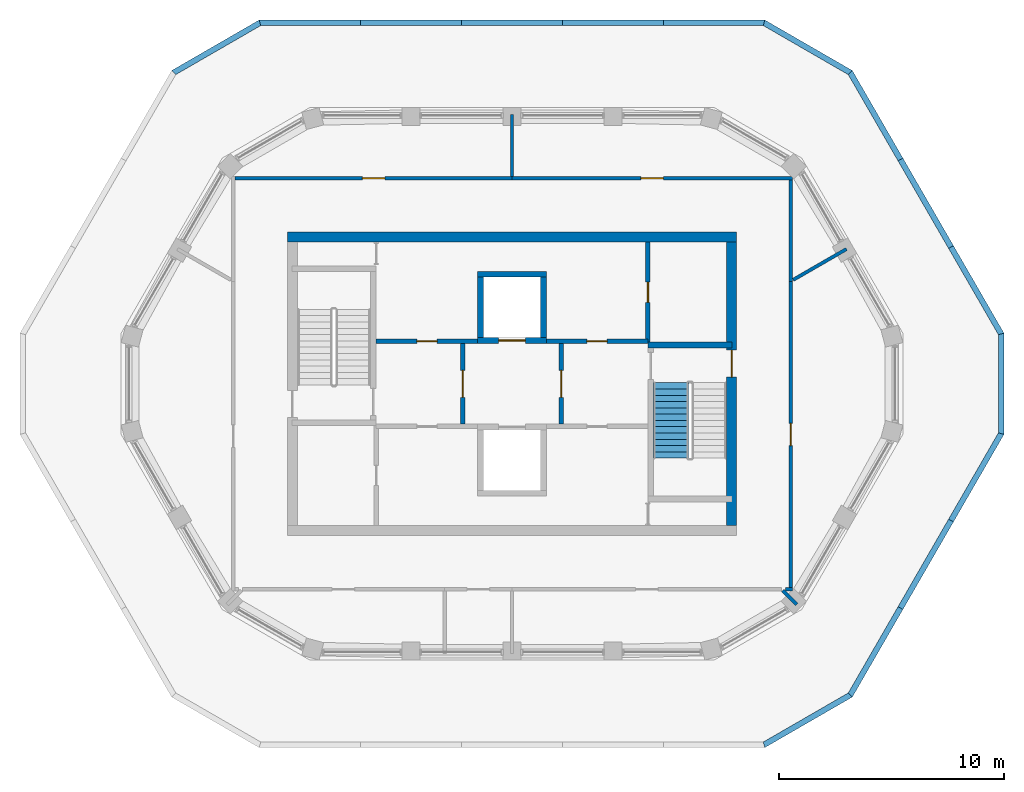
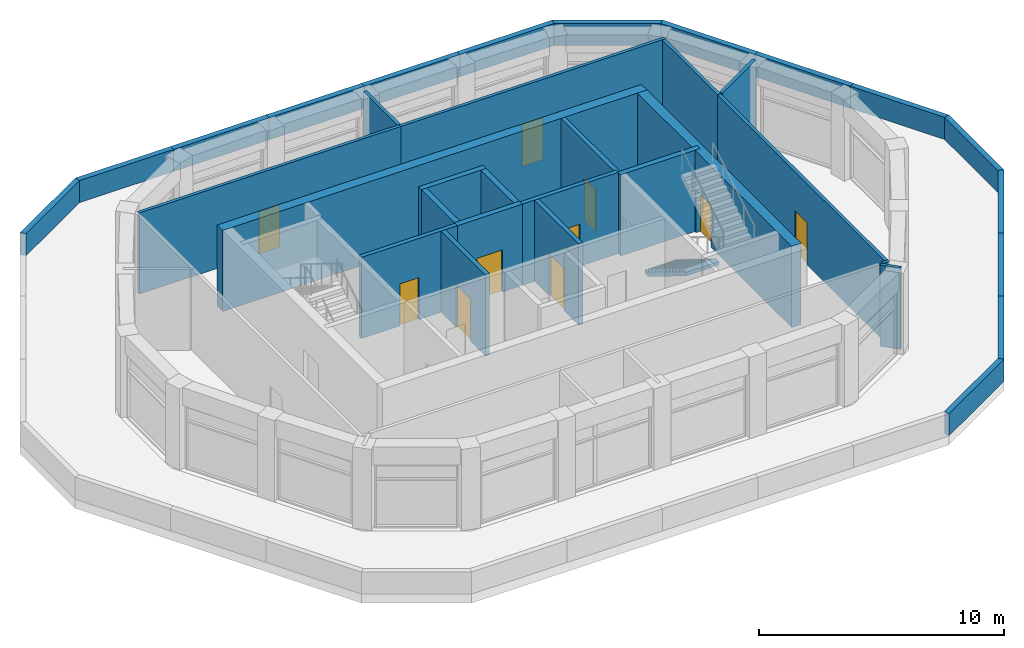
# One storey, part 6 of 8: 35 walls, 10 doors, 1 stair flight, 10 openings, 1 element without a shape of its own.
"""IFC4 building model written with IfcOpenShell, lengths in metres."""

import ifcopenshell
import ifcopenshell.guid

model = None  # the IFC model being written
_history = None  # IfcOwnerHistory: only IFC2X3 demands one
_inside = {}  # id of a spatial element -> (the spatial element, [elements in it])
_under = {}  # id of a project, library or spatial element -> (it, [spatial elements below it])
_declared = {}  # id of a project -> (the project, [libraries it declares])
_typed = {}  # id of a type object -> (the type object, [elements of that type])
_made_of = {}  # id of a material, layer set ... -> (it, [elements and type objects made of it])


def new_model(schema):
    """Start an empty IFC model of exactly this schema.

    Asked for "IFC4X3", IfcOpenShell would pick the latest addendum, in which some entities
    have other attributes; the version numbers below select the first issue.
    IFC2X3 requires an IfcOwnerHistory on every rooted entity: one is made here for all.
    """
    global model, _history
    if schema == "IFC4X3":
        model = ifcopenshell.file(schema_version=(4, 3, 0, 0))
    else:
        model = ifcopenshell.file(schema=schema)
    _inside.clear()
    _under.clear()
    _declared.clear()
    _typed.clear()
    _made_of.clear()
    _history = None
    if model.schema == "IFC2X3":
        org = make("IfcOrganization", Name="unknown")
        user = make(
            "IfcPersonAndOrganization",
            ThePerson=make("IfcPerson", FamilyName="unknown"),
            TheOrganization=org,
        )
        app = make(
            "IfcApplication",
            ApplicationDeveloper=org,
            Version="unknown",
            ApplicationFullName="unknown",
            ApplicationIdentifier="unknown",
        )
        _history = make(
            "IfcOwnerHistory",
            OwningUser=user,
            OwningApplication=app,
            ChangeAction="ADDED",
            CreationDate=0,
        )
    return model


def make(cls, **values):
    """One entity of the class cls with the attributes given. An attribute that is None is left unset."""
    return model.create_entity(
        cls, **{name: value for name, value in values.items() if value is not None}
    )


def rooted(cls, **values):
    """An entity with a GlobalId (a new one), such as an element, a storey or a relation."""
    return make(cls, GlobalId=ifcopenshell.guid.new(), OwnerHistory=_history, **values)


def si_unit(unit_type, name, prefix=None):
    """IfcSIUnit, for example si_unit("LENGTHUNIT", "METRE", prefix="MILLI")."""
    return make("IfcSIUnit", UnitType=unit_type, Prefix=prefix, Name=name)


def assignment(units):
    """IfcUnitAssignment: the units of a project."""
    return None if units is None else make("IfcUnitAssignment", Units=units)


def point(xyz):
    """IfcCartesianPoint."""
    return None if xyz is None else make("IfcCartesianPoint", Coordinates=xyz)


def direction(xyz):
    """IfcDirection."""
    return None if xyz is None else make("IfcDirection", DirectionRatios=xyz)


def frame(location, z_axis=None, x_axis=None):
    """IfcAxis2Placement3D, a coordinate frame: its origin and axes. An axis left out is left unset."""
    return make(
        "IfcAxis2Placement3D",
        Location=point(location),
        Axis=direction(z_axis),
        RefDirection=direction(x_axis),
    )


def frame_2d(location, x_axis=None):
    """IfcAxis2Placement2D, a coordinate frame in the plane: its origin and x axis."""
    return make(
        "IfcAxis2Placement2D", Location=point(location), RefDirection=direction(x_axis)
    )


def origin():
    """The frame at (0, 0, 0) with its axes left unset."""
    return frame((0.0, 0.0, 0.0))


def place(relative_to, where):
    """IfcLocalPlacement: puts the frame where relative to a parent placement (None: the world)."""
    return make(
        "IfcLocalPlacement", PlacementRelTo=relative_to, RelativePlacement=where
    )


def context(
    kind, dimensions, precision=None, world=None, true_north=None, identifier=None
):
    """IfcGeometricRepresentationContext, for example the 3D "Model" context."""
    return make(
        "IfcGeometricRepresentationContext",
        ContextIdentifier=identifier,
        ContextType=kind,
        CoordinateSpaceDimension=dimensions,
        Precision=precision,
        WorldCoordinateSystem=world,
        TrueNorth=true_north,
    )


def subcontext(parent, identifier, kind, view, scale=None):
    """IfcGeometricRepresentationSubContext, for example "Body" below "Model"."""
    return make(
        "IfcGeometricRepresentationSubContext",
        ContextIdentifier=identifier,
        ContextType=kind,
        ParentContext=parent,
        TargetScale=scale,
        TargetView=view,
    )


def project(units=None, contexts=None):
    """IfcProject with its units and contexts."""
    return rooted(
        "IfcProject",
        Name="project",
        RepresentationContexts=contexts,
        UnitsInContext=assignment(units),
    )


def spatial(cls, under=None, at=None, **own):
    """A site, building, storey or space (cls), placed at a placement, below another one or the project."""
    s = rooted(cls, ObjectPlacement=at, **own)
    if under is not None:
        _under.setdefault(under.id(), (under, []))[1].append(s)
    return s


def polyline(points):
    """IfcPolyline through the points."""
    return make("IfcPolyline", Points=[point(p) for p in points])


def profile(cls, at=None, kind="AREA", **sizes):
    """A parametric profile (cls). Its sizes go by their IFC names, for example OverallWidth=200.0."""
    return make(cls, ProfileType=kind, Position=at, **sizes)


def rectangle(**sizes):
    """IfcRectangleProfileDef."""
    return profile("IfcRectangleProfileDef", **sizes)


def outline(outer, holes=None, kind="AREA"):
    """IfcArbitraryClosedProfileDef: a profile drawn as a closed curve; with holes, ...WithVoids."""
    if holes is None:
        return make("IfcArbitraryClosedProfileDef", ProfileType=kind, OuterCurve=outer)
    return make(
        "IfcArbitraryProfileDefWithVoids",
        ProfileType=kind,
        OuterCurve=outer,
        InnerCurves=holes,
    )


def extrude(swept, where, along, depth):
    """IfcExtrudedAreaSolid: the profile swept, set in the frame where, extruded along a direction by depth."""
    return make(
        "IfcExtrudedAreaSolid",
        SweptArea=swept,
        Position=where,
        ExtrudedDirection=direction(along),
        Depth=depth,
    )


def shape(context_of_items, identifier, shape_type, items):
    """IfcShapeRepresentation: the items that make up one representation, for example the "Body"."""
    return make(
        "IfcShapeRepresentation",
        ContextOfItems=context_of_items,
        RepresentationIdentifier=identifier,
        RepresentationType=shape_type,
        Items=items,
    )


def material(Name=None, Category=None):
    """IfcMaterial."""
    return make("IfcMaterial", Name=Name, Category=Category)


def layer(
    of_material, thickness, ventilated=None, Name=None, Category=None, Priority=None
):
    """IfcMaterialLayer: one layer of a wall or slab, of a material (None: an air gap)."""
    return make(
        "IfcMaterialLayer",
        Material=of_material,
        LayerThickness=thickness,
        IsVentilated=ventilated,
        Name=Name,
        Category=Category,
        Priority=Priority,
    )


def layer_set(layers, Name=None):
    """IfcMaterialLayerSet."""
    return make("IfcMaterialLayerSet", MaterialLayers=layers, LayerSetName=Name)


def made_of(thing, what):
    """Note that an element or type object is made of a material, layer set ...; save() writes the relation."""
    if what is not None:
        _made_of.setdefault(what.id(), (what, []))[1].append(thing)
    return thing


def type_object(cls, material=None, **own):
    """A type object (cls), such as IfcWallType, which elements share."""
    return made_of(rooted(cls, **own), material)


def element(
    cls,
    number,
    at=None,
    inside=None,
    cuts=None,
    type_object=None,
    material=None,
    context=None,
    identifier="Body",
    shape_type=None,
    held_by="IfcProductDefinitionShape",
    body=None,
    shapes=None,
    **own,
):
    """One element of the class cls, such as IfcWall. Its Tag is "e" and its number.

    at: its placement. inside: the storey or other place that contains it. cuts: it is an
    opening in that element (IfcRelVoidsElement). A single representation is given by context,
    identifier, shape_type and body (its items); several are given by shapes. held_by: the class
    of the entity that holds the representations. save() writes the other relations.
    """
    e = rooted(cls, Tag="e%d" % number, ObjectPlacement=at, **own)
    if body is not None:
        shapes = [shape(context, identifier, shape_type, body)]
    if shapes is not None:
        e.Representation = make(held_by, Representations=shapes)
    if inside is not None:
        _inside.setdefault(inside.id(), (inside, []))[1].append(e)
    if cuts is not None:
        rooted(
            "IfcRelVoidsElement", RelatingBuildingElement=cuts, RelatedOpeningElement=e
        )
    if type_object is not None:
        _typed.setdefault(type_object.id(), (type_object, []))[1].append(e)
    return made_of(e, material)


def fill(opening, filler):
    """IfcRelFillsElement: the door or window that sits in an opening."""
    return rooted(
        "IfcRelFillsElement",
        RelatingOpeningElement=opening,
        RelatedBuildingElement=filler,
    )


def aggregate(whole, parts):
    """IfcRelAggregates: a whole, such as a stair, and the parts it consists of."""
    return rooted("IfcRelAggregates", RelatingObject=whole, RelatedObjects=parts)


def save(model, path):
    """Write the relations noted so far, then the file.

    IfcRelAggregates (storeys below a building ...), IfcRelContainedInSpatialStructure (elements
    in a storey), IfcRelDefinesByType, IfcRelAssociatesMaterial and IfcRelDeclares: one each for
    every whole, place, type object, material and project.
    """
    for whole, parts in _under.values():
        aggregate(whole, parts)
    for where, things in _inside.values():
        rooted(
            "IfcRelContainedInSpatialStructure",
            RelatedElements=things,
            RelatingStructure=where,
        )
    for kind, things in _typed.values():
        rooted("IfcRelDefinesByType", RelatedObjects=things, RelatingType=kind)
    for what, things in _made_of.values():
        rooted("IfcRelAssociatesMaterial", RelatedObjects=things, RelatingMaterial=what)
    for by, libraries in _declared.values():
        rooted("IfcRelDeclares", RelatingContext=by, RelatedDefinitions=libraries)
    model.write(path)


model = new_model("IFC4")

# Units and contexts
model_context = context("Model", 3, precision=1e-05, world=origin(), true_north=direction((0.0, 1.0)))
body_context = subcontext(model_context, "Body", "Model", "MODEL_VIEW")
ifc_project = project(units=[si_unit("LENGTHUNIT", "METRE"), si_unit("AREAUNIT", "SQUARE_METRE"), si_unit("VOLUMEUNIT", "CUBIC_METRE"), si_unit("PLANEANGLEUNIT", "RADIAN"), si_unit("MASSUNIT", "GRAM", prefix="KILO")], contexts=[model_context])

# Site, building, storey
site_placement = place(None, origin())
site = spatial("IfcSite", under=ifc_project, at=site_placement, CompositionType="ELEMENT")
building_placement = place(site_placement, origin())
building = spatial("IfcBuilding", under=site, at=building_placement, Name="Dhurran Vertical Campus", CompositionType="ELEMENT")
storey_placement = place(building_placement, frame((0.0, 0.0, 323.39990234375)))
storey = spatial("IfcBuildingStorey", under=building, at=storey_placement, Name="L79 Plant", CompositionType="ELEMENT", Elevation=323.39990234375)

# Walls
ifc_material_1 = material(Name="Precast concrete C50/60", Category="concrete")
ifc_layer_1 = layer(ifc_material_1, 0.25)
ifc_layer_set_1 = layer_set([ifc_layer_1], Name="Precast concrete C50/60")
wall_type_1 = type_object("IfcWallType", Name="Precast parapet 250", PredefinedType="PARAPET", material=ifc_layer_set_1)
wall_1_placement = place(storey_placement, origin())
element("IfcWall", 1, at=wall_1_placement, inside=storey, type_object=wall_type_1, Name="PW1 L79.05", PredefinedType="PARAPET", context=body_context, shape_type="SweptSolid", body=[
    extrude(outline(polyline([(11.25, -16.19140625), (15.147216796875, -13.94140625), (14.964111328125, -13.75830078125), (11.18310546875, -15.94140625), (11.25, -16.19140625)])), origin(), (0.0, 0.0, 1.0), 1.10009765625),
])
wall_2_placement = place(storey_placement, origin())
element("IfcWall", 2, at=wall_2_placement, inside=storey, type_object=wall_type_1, Name="PW1 L79.06", PredefinedType="PARAPET", context=body_context, shape_type="SweptSolid", body=[
    extrude(outline(polyline([(15.147216796875, -13.94140625), (17.397216796875, -10.044189453125), (17.1806640625, -9.919189453125), (14.964111328125, -13.75830078125), (15.147216796875, -13.94140625)])), origin(), (0.0, 0.0, 1.0), 1.10009765625),
])
wall_3_placement = place(storey_placement, origin())
element("IfcWall", 3, at=wall_3_placement, inside=storey, type_object=wall_type_1, Name="PW1 L79.07", PredefinedType="PARAPET", context=body_context, shape_type="SweptSolid", body=[
    extrude(outline(polyline([(17.397216796875, -10.044189453125), (19.647216796875, -6.147216796875), (19.4306640625, -6.022216796875), (17.1806640625, -9.919189453125), (17.397216796875, -10.044189453125)])), origin(), (0.0, 0.0, 1.0), 1.10009765625),
])
wall_4_placement = place(storey_placement, origin())
element("IfcWall", 4, at=wall_4_placement, inside=storey, type_object=wall_type_1, Name="PW1 L79.08", PredefinedType="PARAPET", context=body_context, shape_type="SweptSolid", body=[
    extrude(outline(polyline([(19.647216796875, -6.147216796875), (21.897216796875, -2.25), (21.647216796875, -2.18310546875), (19.4306640625, -6.022216796875), (19.647216796875, -6.147216796875)])), origin(), (0.0, 0.0, 1.0), 1.10009765625),
])
wall_5_placement = place(storey_placement, origin())
element("IfcWall", 5, at=wall_5_placement, inside=storey, type_object=wall_type_1, Name="PW1 L79.09", PredefinedType="PARAPET", context=body_context, shape_type="SweptSolid", body=[
    extrude(outline(polyline([(21.897216796875, -2.25), (21.897216796875, 2.25), (21.647216796875, 2.18310546875), (21.647216796875, -2.18310546875), (21.897216796875, -2.25)])), origin(), (0.0, 0.0, 1.0), 1.10009765625),
])
wall_6_placement = place(storey_placement, origin())
element("IfcWall", 6, at=wall_6_placement, inside=storey, type_object=wall_type_1, Name="PW1 L79.10", PredefinedType="PARAPET", context=body_context, shape_type="SweptSolid", body=[
    extrude(outline(polyline([(21.897216796875, 2.25), (19.647216796875, 6.147216796875), (19.4306640625, 6.022216796875), (21.647216796875, 2.18310546875), (21.897216796875, 2.25)])), origin(), (0.0, 0.0, 1.0), 1.10009765625),
])
wall_7_placement = place(storey_placement, origin())
element("IfcWall", 7, at=wall_7_placement, inside=storey, type_object=wall_type_1, Name="PW1 L79.11", PredefinedType="PARAPET", context=body_context, shape_type="SweptSolid", body=[
    extrude(outline(polyline([(19.647216796875, 6.147216796875), (17.397216796875, 10.044189453125), (17.1806640625, 9.919189453125), (19.4306640625, 6.022216796875), (19.647216796875, 6.147216796875)])), origin(), (0.0, 0.0, 1.0), 1.10009765625),
])
wall_8_placement = place(storey_placement, origin())
element("IfcWall", 8, at=wall_8_placement, inside=storey, type_object=wall_type_1, Name="PW1 L79.12", PredefinedType="PARAPET", context=body_context, shape_type="SweptSolid", body=[
    extrude(outline(polyline([(17.397216796875, 10.044189453125), (15.147216796875, 13.94140625), (14.964111328125, 13.75830078125), (17.1806640625, 9.919189453125), (17.397216796875, 10.044189453125)])), origin(), (0.0, 0.0, 1.0), 1.10009765625),
])
wall_9_placement = place(storey_placement, origin())
element("IfcWall", 9, at=wall_9_placement, inside=storey, type_object=wall_type_1, Name="PW1 L79.13", PredefinedType="PARAPET", context=body_context, shape_type="SweptSolid", body=[
    extrude(outline(polyline([(15.147216796875, 13.94140625), (11.25, 16.19140625), (11.18310546875, 15.94140625), (14.964111328125, 13.75830078125), (15.147216796875, 13.94140625)])), origin(), (0.0, 0.0, 1.0), 1.10009765625),
])
wall_10_placement = place(storey_placement, origin())
element("IfcWall", 10, at=wall_10_placement, inside=storey, type_object=wall_type_1, Name="PW1 L79.14", PredefinedType="PARAPET", context=body_context, shape_type="SweptSolid", body=[
    extrude(outline(polyline([(11.25, 16.19140625), (6.75, 16.19140625), (6.75, 15.94140625), (11.18310546875, 15.94140625), (11.25, 16.19140625)])), origin(), (0.0, 0.0, 1.0), 1.10009765625),
])
wall_11_placement = place(storey_placement, origin())
element("IfcWall", 11, at=wall_11_placement, inside=storey, type_object=wall_type_1, Name="PW1 L79.15", PredefinedType="PARAPET", context=body_context, shape_type="SweptSolid", body=[
    extrude(outline(polyline([(6.75, 16.19140625), (2.25, 16.19140625), (2.25, 15.94140625), (6.75, 15.94140625), (6.75, 16.19140625)])), origin(), (0.0, 0.0, 1.0), 1.10009765625),
])
wall_12_placement = place(storey_placement, origin())
element("IfcWall", 12, at=wall_12_placement, inside=storey, type_object=wall_type_1, Name="PW1 L79.16", PredefinedType="PARAPET", context=body_context, shape_type="SweptSolid", body=[
    extrude(outline(polyline([(2.25, 16.19140625), (-2.25, 16.19140625), (-2.25, 15.94140625), (2.25, 15.94140625), (2.25, 16.19140625)])), origin(), (0.0, 0.0, 1.0), 1.10009765625),
])
wall_13_placement = place(storey_placement, origin())
element("IfcWall", 13, at=wall_13_placement, inside=storey, type_object=wall_type_1, Name="PW1 L79.17", PredefinedType="PARAPET", context=body_context, shape_type="SweptSolid", body=[
    extrude(outline(polyline([(-2.25, 16.19140625), (-6.75, 16.19140625), (-6.75, 15.94140625), (-2.25, 15.94140625), (-2.25, 16.19140625)])), origin(), (0.0, 0.0, 1.0), 1.10009765625),
])
wall_14_placement = place(storey_placement, origin())
element("IfcWall", 14, at=wall_14_placement, inside=storey, type_object=wall_type_1, Name="PW1 L79.18", PredefinedType="PARAPET", context=body_context, shape_type="SweptSolid", body=[
    extrude(outline(polyline([(-6.75, 16.19140625), (-11.25, 16.19140625), (-11.18310546875, 15.94140625), (-6.75, 15.94140625), (-6.75, 16.19140625)])), origin(), (0.0, 0.0, 1.0), 1.10009765625),
])
wall_15_placement = place(storey_placement, origin())
element("IfcWall", 15, at=wall_15_placement, inside=storey, type_object=wall_type_1, Name="PW1 L79.19", PredefinedType="PARAPET", context=body_context, shape_type="SweptSolid", body=[
    extrude(outline(polyline([(-11.25, 16.19140625), (-15.147216796875, 13.94140625), (-14.964111328125, 13.75830078125), (-11.18310546875, 15.94140625), (-11.25, 16.19140625)])), origin(), (0.0, 0.0, 1.0), 1.10009765625),
])
ifc_material_2 = material(Name="Concrete C50/60", Category="concrete")
ifc_layer_2 = layer(ifc_material_2, 0.449951171875)
ifc_layer_set_2 = layer_set([ifc_layer_2], Name="Concrete C50/60")
wall_type_2 = type_object("IfcWallType", Name="co-CORE-WALL-C4-450", PredefinedType="SHEAR", material=ifc_layer_set_2)
wall_16_placement = place(storey_placement, frame((-10.0, 6.52490234375, 0.0), z_axis=(0.0, 0.0, 1.0), x_axis=(1.0, 0.0, 0.0)))
element("IfcWall", 16, at=wall_16_placement, inside=storey, type_object=wall_type_2, Name="Core wall N L79", PredefinedType="SHEAR", context=body_context, shape_type="SweptSolid", body=[
    extrude(rectangle(XDim=20.0, YDim=0.449951171875, at=frame_2d((10.0, 0.0))), origin(), (0.0, 0.0, 1.0), 4.050048828125),
])

# Wall, opening, door
wall_17_placement = place(storey_placement, frame((9.77490234375, -6.300048828125, 0.0), z_axis=(0.0, 0.0, 1.0), x_axis=(0.0, 1.0, 0.0)))
wall_17 = element("IfcWall", 17, at=wall_17_placement, inside=storey, type_object=wall_type_2, Name="Core wall E L79", PredefinedType="SHEAR", context=body_context, shape_type="SweptSolid", body=[
    extrude(rectangle(XDim=12.60009765625, YDim=0.449951171875, at=frame_2d((6.300048828125, 0.0))), origin(), (0.0, 0.0, 1.0), 4.050048828125),
])
opening_1_placement = place(wall_17_placement, frame((6.60009765625, 0.0, 0.0)))
opening_1 = element("IfcOpeningElement", 18, at=opening_1_placement, cuts=wall_17, Name="Opening XD6", PredefinedType="OPENING", context=body_context, shape_type="SweptSolid", body=[
    extrude(rectangle(XDim=1.199951171875, YDim=2.10009765625, at=frame_2d((0.60009765625, 1.050048828125))), frame((0.0, 0.23486328125, 0.0), z_axis=(0.0, -1.0, 0.0), x_axis=(1.0, 0.0, 0.0)), (0.0, 0.0, 1.0), 0.469970703125),
])
ifc_material_3 = material(Name="Fire-rated steel door set", Category="steel")
door_type_1 = type_object("IfcDoorType", Name="co-D-STAIR-EXIT 1200x2100", OperationType="SINGLE_SWING_RIGHT", PredefinedType="DOOR", material=ifc_material_3)
door_1_placement = place(opening_1_placement, origin())
door_1 = element("IfcDoor", 19, at=door_1_placement, inside=storey, type_object=door_type_1, Name="Stair ST6 exit door L79", OperationType="SINGLE_SWING_RIGHT", OverallHeight=2.10009765625, OverallWidth=1.199951171875, PredefinedType="DOOR", context=body_context, shape_type="SweptSolid", body=[
    extrude(rectangle(XDim=1.199951171875, YDim=2.10009765625, at=frame_2d((0.60009765625, 1.050048828125))), frame((0.0, 0.02490234375, 0.0), z_axis=(0.0, -1.0, 0.0), x_axis=(1.0, 0.0, 0.0)), (0.0, 0.0, 1.0), 0.050048828125),
])
fill(opening_1, door_1)

ifc_material_4 = material(Name="Fire-rated masonry blockwork", Category="masonry")
ifc_layer_3 = layer(ifc_material_4, 0.199951171875)
ifc_layer_set_3 = layer_set([ifc_layer_3], Name="Fire-rated masonry blockwork")
wall_type_3 = type_object("IfcWallType", Name="co-FIRE-PARTITION-200", PredefinedType="PARTITIONING", material=ifc_layer_set_3)
wall_18_placement = place(storey_placement, frame((-2.199951171875, -1.800048828125, 0.0), z_axis=(0.0, 0.0, 1.0), x_axis=(0.0, 1.0, 0.0)))
wall_18 = element("IfcWall", 20, at=wall_18_placement, inside=storey, type_object=wall_type_3, Name="Firefighting lobby wall W L79", PredefinedType="PARTITIONING", context=body_context, shape_type="SweptSolid", body=[
    extrude(rectangle(XDim=3.60009765625, YDim=0.199951171875, at=frame_2d((1.800048828125, 0.0))), origin(), (0.0, 0.0, 1.0), 4.050048828125),
])
opening_2_placement = place(wall_18_placement, frame((1.199951171875, 0.0, 0.0)))
opening_2 = element("IfcOpeningElement", 21, at=opening_2_placement, cuts=wall_18, Name="Opening FL1", PredefinedType="OPENING", context=body_context, shape_type="SweptSolid", body=[
    extrude(rectangle(XDim=1.199951171875, YDim=2.10009765625, at=frame_2d((0.60009765625, 1.050048828125))), frame((0.0, 0.10986328125, 0.0), z_axis=(0.0, -1.0, 0.0), x_axis=(1.0, 0.0, 0.0)), (0.0, 0.0, 1.0), 0.219970703125),
])
ifc_material_5 = material(Name="Fire-rated steel door set", Category="steel")
door_type_2 = type_object("IfcDoorType", Name="co-D-FFLOBBY 1200x2100", OperationType="SINGLE_SWING_LEFT", PredefinedType="DOOR", material=ifc_material_5)
door_2_placement = place(opening_2_placement, origin())
door_2 = element("IfcDoor", 22, at=door_2_placement, inside=storey, type_object=door_type_2, Name="Firefighting lobby door W L79", OperationType="SINGLE_SWING_LEFT", OverallHeight=2.10009765625, OverallWidth=1.199951171875, PredefinedType="DOOR", context=body_context, shape_type="SweptSolid", body=[
    extrude(rectangle(XDim=1.199951171875, YDim=2.10009765625, at=frame_2d((0.60009765625, 1.050048828125))), frame((0.0, 0.02490234375, 0.0), z_axis=(0.0, -1.0, 0.0), x_axis=(1.0, 0.0, 0.0)), (0.0, 0.0, 1.0), 0.050048828125),
])
fill(opening_2, door_2)

wall_19_placement = place(storey_placement, frame((2.199951171875, -1.800048828125, 0.0), z_axis=(0.0, 0.0, 1.0), x_axis=(0.0, 1.0, 0.0)))
wall_19 = element("IfcWall", 23, at=wall_19_placement, inside=storey, type_object=wall_type_3, Name="Firefighting lobby wall E L79", PredefinedType="PARTITIONING", context=body_context, shape_type="SweptSolid", body=[
    extrude(rectangle(XDim=3.60009765625, YDim=0.199951171875, at=frame_2d((1.800048828125, 0.0))), origin(), (0.0, 0.0, 1.0), 4.050048828125),
])
opening_3_placement = place(wall_19_placement, frame((1.199951171875, 0.0, 0.0)))
opening_3 = element("IfcOpeningElement", 24, at=opening_3_placement, cuts=wall_19, Name="Opening FL2", PredefinedType="OPENING", context=body_context, shape_type="SweptSolid", body=[
    extrude(rectangle(XDim=1.199951171875, YDim=2.10009765625, at=frame_2d((0.60009765625, 1.050048828125))), frame((0.0, 0.10986328125, 0.0), z_axis=(0.0, -1.0, 0.0), x_axis=(1.0, 0.0, 0.0)), (0.0, 0.0, 1.0), 0.219970703125),
])
door_3_placement = place(opening_3_placement, origin())
door_3 = element("IfcDoor", 25, at=door_3_placement, inside=storey, type_object=door_type_2, Name="Firefighting lobby door E L79", OperationType="SINGLE_SWING_LEFT", OverallHeight=2.10009765625, OverallWidth=1.199951171875, PredefinedType="DOOR", context=body_context, shape_type="SweptSolid", body=[
    extrude(rectangle(XDim=1.199951171875, YDim=2.10009765625, at=frame_2d((0.60009765625, 1.050048828125))), frame((0.0, 0.02490234375, 0.0), z_axis=(0.0, -1.0, 0.0), x_axis=(1.0, 0.0, 0.0)), (0.0, 0.0, 1.0), 0.050048828125),
])
fill(opening_3, door_3)

wall_20_placement = place(storey_placement, frame((-6.050048828125, 1.89990234375, 0.0), z_axis=(0.0, 0.0, 1.0), x_axis=(1.0, 0.0, 0.0)))
wall_20 = element("IfcWall", 26, at=wall_20_placement, inside=storey, type_object=wall_type_3, Name="Core partition nwa-f L79", PredefinedType="PARTITIONING", context=body_context, shape_type="SweptSolid", body=[
    extrude(rectangle(XDim=4.525146484375, YDim=0.199951171875, at=frame_2d((2.2626953125, 0.0))), origin(), (0.0, 0.0, 1.0), 4.050048828125),
])
opening_4_placement = place(wall_20_placement, frame((1.8125, 0.0, 0.0)))
opening_4 = element("IfcOpeningElement", 27, at=opening_4_placement, cuts=wall_20, Name="Opening CR79-C1", PredefinedType="OPENING", context=body_context, shape_type="SweptSolid", body=[
    extrude(rectangle(XDim=0.89990234375, YDim=2.10009765625, at=frame_2d((0.449951171875, 1.050048828125))), frame((0.0, 0.10986328125, 0.0), z_axis=(0.0, -1.0, 0.0), x_axis=(1.0, 0.0, 0.0)), (0.0, 0.0, 1.0), 0.219970703125),
])
ifc_material_6 = material(Name="Fire-rated timber door set", Category="wood")
door_type_3 = type_object("IfcDoorType", Name="co-D-ROOM 900x2100", OperationType="SINGLE_SWING_LEFT", PredefinedType="DOOR", material=ifc_material_6)
door_4_placement = place(opening_4_placement, origin())
door_4 = element("IfcDoor", 28, at=door_4_placement, inside=storey, type_object=door_type_3, Name="nwa door L79", OperationType="SINGLE_SWING_LEFT", OverallHeight=2.10009765625, OverallWidth=0.89990234375, PredefinedType="DOOR", context=body_context, shape_type="SweptSolid", body=[
    extrude(rectangle(XDim=0.89990234375, YDim=2.10009765625, at=frame_2d((0.449951171875, 1.050048828125))), frame((0.0, 0.02490234375, 0.0), z_axis=(0.0, -1.0, 0.0), x_axis=(1.0, 0.0, 0.0)), (0.0, 0.0, 1.0), 0.050048828125),
])
fill(opening_4, door_4)

wall_21_placement = place(storey_placement, frame((1.52490234375, 1.89990234375, 0.0), z_axis=(0.0, 0.0, 1.0), x_axis=(1.0, 0.0, 0.0)))
wall_21 = element("IfcWall", 29, at=wall_21_placement, inside=storey, type_object=wall_type_3, Name="Core partition nea-f L79", PredefinedType="PARTITIONING", context=body_context, shape_type="SweptSolid", body=[
    extrude(rectangle(XDim=4.525146484375, YDim=0.199951171875, at=frame_2d((2.2626953125, 0.0))), origin(), (0.0, 0.0, 1.0), 4.050048828125),
])
opening_5_placement = place(wall_21_placement, frame((1.8125, 0.0, 0.0)))
opening_5 = element("IfcOpeningElement", 30, at=opening_5_placement, cuts=wall_21, Name="Opening CR79-C3", PredefinedType="OPENING", context=body_context, shape_type="SweptSolid", body=[
    extrude(rectangle(XDim=0.89990234375, YDim=2.10009765625, at=frame_2d((0.449951171875, 1.050048828125))), frame((0.0, 0.10986328125, 0.0), z_axis=(0.0, -1.0, 0.0), x_axis=(1.0, 0.0, 0.0)), (0.0, 0.0, 1.0), 0.219970703125),
])
door_5_placement = place(opening_5_placement, origin())
door_5 = element("IfcDoor", 31, at=door_5_placement, inside=storey, type_object=door_type_3, Name="nea door L79", OperationType="SINGLE_SWING_LEFT", OverallHeight=2.10009765625, OverallWidth=0.89990234375, PredefinedType="DOOR", context=body_context, shape_type="SweptSolid", body=[
    extrude(rectangle(XDim=0.89990234375, YDim=2.10009765625, at=frame_2d((0.449951171875, 1.050048828125))), frame((0.0, 0.02490234375, 0.0), z_axis=(0.0, -1.0, 0.0), x_axis=(1.0, 0.0, 0.0)), (0.0, 0.0, 1.0), 0.050048828125),
])
fill(opening_5, door_5)

wall_22_placement = place(storey_placement, frame((6.050048828125, 1.85009765625, 0.0), z_axis=(0.0, 0.0, 1.0), x_axis=(0.0, 1.0, 0.0)))
wall_22 = element("IfcWall", 32, at=wall_22_placement, inside=storey, type_object=wall_type_3, Name="Core partition ben-d L79", PredefinedType="PARTITIONING", context=body_context, shape_type="SweptSolid", body=[
    extrude(rectangle(XDim=4.449951171875, YDim=0.199951171875, at=frame_2d((2.22509765625, 0.0))), origin(), (0.0, 0.0, 1.0), 4.050048828125),
])
opening_6_placement = place(wall_22_placement, frame((1.77490234375, 0.0, 0.0)))
opening_6 = element("IfcOpeningElement", 33, at=opening_6_placement, cuts=wall_22, Name="Opening CR79-C7", PredefinedType="OPENING", context=body_context, shape_type="SweptSolid", body=[
    extrude(rectangle(XDim=0.89990234375, YDim=2.10009765625, at=frame_2d((0.449951171875, 1.050048828125))), frame((0.0, 0.10986328125, 0.0), z_axis=(0.0, -1.0, 0.0), x_axis=(1.0, 0.0, 0.0)), (0.0, 0.0, 1.0), 0.219970703125),
])
door_6_placement = place(opening_6_placement, origin())
door_6 = element("IfcDoor", 34, at=door_6_placement, inside=storey, type_object=door_type_3, Name="Plant room door L79", OperationType="SINGLE_SWING_LEFT", OverallHeight=2.10009765625, OverallWidth=0.89990234375, PredefinedType="DOOR", context=body_context, shape_type="SweptSolid", body=[
    extrude(rectangle(XDim=0.89990234375, YDim=2.10009765625, at=frame_2d((0.449951171875, 1.050048828125))), frame((0.0, 0.02490234375, 0.0), z_axis=(0.0, -1.0, 0.0), x_axis=(1.0, 0.0, 0.0)), (0.0, 0.0, 1.0), 0.050048828125),
])
fill(opening_6, door_6)

ifc_material_7 = material(Name="Concrete C50/60", Category="concrete")
ifc_layer_4 = layer(ifc_material_7, 0.25)
ifc_layer_set_4 = layer_set([ifc_layer_4], Name="Concrete C50/60")
wall_type_4 = type_object("IfcWallType", Name="co-SHAFT-FRONT-250", PredefinedType="SHEAR", material=ifc_layer_set_4)
wall_23_placement = place(storey_placement, frame((-1.52490234375, 1.925048828125, 0.0), z_axis=(0.0, 0.0, 1.0), x_axis=(1.0, 0.0, 0.0)))
wall_23 = element("IfcWall", 35, at=wall_23_placement, inside=storey, type_object=wall_type_4, Name="Lift landing wall N L79", PredefinedType="SHEAR", context=body_context, shape_type="SweptSolid", body=[
    extrude(rectangle(XDim=3.0498046875, YDim=0.25, at=frame_2d((1.52490234375, 0.0))), origin(), (0.0, 0.0, 1.0), 4.050048828125),
])
opening_7_placement = place(wall_23_placement, frame((0.925048828125, 0.0, 0.0)))
opening_7 = element("IfcOpeningElement", 36, at=opening_7_placement, cuts=wall_23, Name="Opening LD", PredefinedType="OPENING", context=body_context, shape_type="SweptSolid", body=[
    extrude(rectangle(XDim=1.199951171875, YDim=2.10009765625, at=frame_2d((0.60009765625, 1.050048828125))), frame((0.0, 0.135009765625, 0.0), z_axis=(0.0, -1.0, 0.0), x_axis=(1.0, 0.0, 0.0)), (0.0, 0.0, 1.0), 0.27001953125),
])
ifc_material_8 = material(Name="Stainless steel landing door", Category="steel")
door_type_4 = type_object("IfcDoorType", Name="co-D-LANDING 1200x2100", OperationType="DOUBLE_DOOR_SLIDING", PredefinedType="DOOR", material=ifc_material_8)
door_7_placement = place(opening_7_placement, origin())
door_7 = element("IfcDoor", 37, at=door_7_placement, inside=storey, type_object=door_type_4, Name="Landing door FF1 L79", OperationType="DOUBLE_DOOR_SLIDING", OverallHeight=2.10009765625, OverallWidth=1.199951171875, PredefinedType="DOOR", context=body_context, shape_type="SweptSolid", body=[
    extrude(rectangle(XDim=1.199951171875, YDim=2.10009765625, at=frame_2d((0.60009765625, 1.050048828125))), frame((0.0, 0.02490234375, 0.0), z_axis=(0.0, -1.0, 0.0), x_axis=(1.0, 0.0, 0.0)), (0.0, 0.0, 1.0), 0.050048828125),
])
fill(opening_7, door_7)

# Walls
ifc_material_9 = material(Name="Concrete C50/60", Category="concrete")
ifc_layer_5 = layer(ifc_material_9, 0.25)
ifc_layer_set_5 = layer_set([ifc_layer_5], Name="Concrete C50/60")
wall_type_5 = type_object("IfcWallType", Name="co-SHAFT-MASS-250", PredefinedType="SHEAR", material=ifc_layer_set_5)
wall_24_placement = place(storey_placement, origin())
element("IfcWall", 38, at=wall_24_placement, inside=storey, type_object=wall_type_5, Name="Lift shaft wall N L79 1", PredefinedType="SHEAR", context=body_context, shape_type="SweptSolid", body=[
    extrude(outline(polyline([(-1.52490234375, 4.75), (1.52490234375, 4.75), (1.52490234375, 5.0), (-1.52490234375, 5.0), (-1.52490234375, 4.75)])), origin(), (0.0, 0.0, 1.0), 4.050048828125),
])
wall_25_placement = place(storey_placement, origin())
element("IfcWall", 39, at=wall_25_placement, inside=storey, type_object=wall_type_5, Name="Lift shaft wall N L79 2", PredefinedType="SHEAR", context=body_context, shape_type="SweptSolid", body=[
    extrude(outline(polyline([(-1.52490234375, 2.050048828125), (-1.27490234375, 2.050048828125), (-1.27490234375, 4.75), (-1.52490234375, 4.75), (-1.52490234375, 2.050048828125)])), origin(), (0.0, 0.0, 1.0), 4.050048828125),
])
wall_26_placement = place(storey_placement, origin())
element("IfcWall", 40, at=wall_26_placement, inside=storey, type_object=wall_type_5, Name="Lift shaft wall N L79 3", PredefinedType="SHEAR", context=body_context, shape_type="SweptSolid", body=[
    extrude(outline(polyline([(1.27490234375, 2.050048828125), (1.52490234375, 2.050048828125), (1.52490234375, 4.75), (1.27490234375, 4.75), (1.27490234375, 2.050048828125)])), origin(), (0.0, 0.0, 1.0), 4.050048828125),
])
ifc_material_10 = material(Name="Concrete C40/50", Category="concrete")
ifc_layer_6 = layer(ifc_material_10, 0.25)
ifc_layer_set_6 = layer_set([ifc_layer_6], Name="Concrete C40/50")
wall_type_6 = type_object("IfcWallType", Name="co-STAIR-WALL-250", PredefinedType="SHEAR", material=ifc_layer_set_6)
wall_27_placement = place(storey_placement, frame((6.050048828125, 1.72509765625, 0.0), z_axis=(0.0, 0.0, 1.0), x_axis=(1.0, 0.0, 0.0)))
element("IfcWall", 41, at=wall_27_placement, inside=storey, type_object=wall_type_6, Name="Stair ST6 enclosure wall L79", PredefinedType="SHEAR", context=body_context, shape_type="SweptSolid", body=[
    extrude(rectangle(XDim=3.75, YDim=0.25, at=frame_2d((1.875, 0.0))), origin(), (0.0, 0.0, 1.0), 4.050048828125),
])

# Wall, opening, door
ifc_material_11 = material(Name="Gypsum board corridor wall on steel studs", Category="steel")
ifc_layer_7 = layer(ifc_material_11, 0.14990234375)
ifc_layer_set_7 = layer_set([ifc_layer_7], Name="Gypsum board corridor wall on steel studs")
wall_type_7 = type_object("IfcWallType", Name="fl-CW-150 corridor wall", PredefinedType="PARTITIONING", material=ifc_layer_set_7)
wall_28_placement = place(storey_placement, frame((0.0, 9.14990234375, 0.0), z_axis=(0.0, 0.0, 1.0), x_axis=(-1.0, 0.0, 0.0)))
wall_28 = element("IfcWall", 42, at=wall_28_placement, inside=storey, type_object=wall_type_7, Name="Partition 79-06", PredefinedType="PARTITIONING", context=body_context, shape_type="SweptSolid", body=[
    extrude(rectangle(XDim=12.324951171875, YDim=0.14990234375, at=frame_2d((6.16259765625, 0.0))), origin(), (0.0, 0.0, 1.0), 4.050048828125),
])
opening_8_placement = place(wall_28_placement, frame((5.66259765625, 0.0, 0.0)))
opening_8 = element("IfcOpeningElement", 43, at=opening_8_placement, cuts=wall_28, Name="Opening CR79.03", PredefinedType="OPENING", context=body_context, shape_type="SweptSolid", body=[
    extrude(rectangle(XDim=1.0, YDim=2.10009765625, at=frame_2d((0.5, 1.050048828125))), frame((0.0, 0.0849609375, 0.0), z_axis=(0.0, -1.0, 0.0), x_axis=(1.0, 0.0, 0.0)), (0.0, 0.0, 1.0), 0.169921875),
])
ifc_material_12 = material(Name="Solid-core timber door set, fire-rated", Category="wood")
door_type_5 = type_object("IfcDoorType", Name="fl-D-1000x2100", OperationType="SINGLE_SWING_LEFT", PredefinedType="DOOR", material=ifc_material_12)
door_8_placement = place(opening_8_placement, origin())
door_8 = element("IfcDoor", 44, at=door_8_placement, inside=storey, type_object=door_type_5, Name="Door 79.03", OperationType="SINGLE_SWING_RIGHT", OverallHeight=2.10009765625, OverallWidth=1.0, PredefinedType="DOOR", context=body_context, shape_type="SweptSolid", body=[
    extrude(rectangle(XDim=1.0, YDim=2.10009765625, at=frame_2d((0.5, 1.050048828125))), frame((0.0, 0.02490234375, 0.0), z_axis=(0.0, -1.0, 0.0), x_axis=(1.0, 0.0, 0.0)), (0.0, 0.0, 1.0), 0.050048828125),
])
fill(opening_8, door_8)

wall_29_placement = place(storey_placement, frame((12.47509765625, 9.14990234375, 0.0), z_axis=(0.0, 0.0, 1.0), x_axis=(-1.0, 0.0, 0.0)))
wall_29 = element("IfcWall", 45, at=wall_29_placement, inside=storey, type_object=wall_type_7, Name="Partition 79-13", PredefinedType="PARTITIONING", context=body_context, shape_type="SweptSolid", body=[
    extrude(rectangle(XDim=12.47509765625, YDim=0.14990234375, at=frame_2d((6.237548828125, 0.0))), origin(), (0.0, 0.0, 1.0), 4.050048828125),
])
opening_9_placement = place(wall_29_placement, frame((5.737548828125, 0.0, 0.0)))
opening_9 = element("IfcOpeningElement", 46, at=opening_9_placement, cuts=wall_29, Name="Opening CR79.06", PredefinedType="OPENING", context=body_context, shape_type="SweptSolid", body=[
    extrude(rectangle(XDim=1.0, YDim=2.10009765625, at=frame_2d((0.5, 1.050048828125))), frame((0.0, 0.0849609375, 0.0), z_axis=(0.0, -1.0, 0.0), x_axis=(1.0, 0.0, 0.0)), (0.0, 0.0, 1.0), 0.169921875),
])
door_9_placement = place(opening_9_placement, origin())
door_9 = element("IfcDoor", 47, at=door_9_placement, inside=storey, type_object=door_type_5, Name="Door 79.06", OperationType="SINGLE_SWING_RIGHT", OverallHeight=2.10009765625, OverallWidth=1.0, PredefinedType="DOOR", context=body_context, shape_type="SweptSolid", body=[
    extrude(rectangle(XDim=1.0, YDim=2.10009765625, at=frame_2d((0.5, 1.050048828125))), frame((0.0, 0.02490234375, 0.0), z_axis=(0.0, -1.0, 0.0), x_axis=(1.0, 0.0, 0.0)), (0.0, 0.0, 1.0), 0.050048828125),
])
fill(opening_9, door_9)

# Wall
wall_30_placement = place(storey_placement, frame((12.177978515625, -9.14990234375, 0.0), z_axis=(0.0, 0.0, 1.0), x_axis=(1.0, 0.0, 0.0)))
element("IfcWall", 48, at=wall_30_placement, inside=storey, type_object=wall_type_7, Name="Partition 79-14", PredefinedType="PARTITIONING", context=body_context, shape_type="SweptSolid", body=[
    extrude(rectangle(XDim=0.297119140625, YDim=0.14990234375, at=frame_2d((0.1484375, 0.0))), origin(), (0.0, 0.0, 1.0), 4.050048828125),
])

# Wall, opening, door
wall_31_placement = place(storey_placement, frame((12.39990234375, -9.074951171875, 0.0), z_axis=(0.0, 0.0, 1.0), x_axis=(0.0, 1.0, 0.0)))
wall_31 = element("IfcWall", 49, at=wall_31_placement, inside=storey, type_object=wall_type_7, Name="Partition 79-16", PredefinedType="PARTITIONING", context=body_context, shape_type="SweptSolid", body=[
    extrude(rectangle(XDim=13.635986328125, YDim=0.14990234375, at=frame_2d((6.81787109375, 0.0))), origin(), (0.0, 0.0, 1.0), 4.050048828125),
])
opening_10_placement = place(wall_31_placement, frame((6.318115234375, 0.0, 0.0)))
opening_10 = element("IfcOpeningElement", 50, at=opening_10_placement, cuts=wall_31, Name="Opening CR79.07", PredefinedType="OPENING", context=body_context, shape_type="SweptSolid", body=[
    extrude(rectangle(XDim=1.0, YDim=2.10009765625, at=frame_2d((0.5, 1.050048828125))), frame((0.0, 0.0849609375, 0.0), z_axis=(0.0, -1.0, 0.0), x_axis=(1.0, 0.0, 0.0)), (0.0, 0.0, 1.0), 0.169921875),
])
door_10_placement = place(opening_10_placement, origin())
door_10 = element("IfcDoor", 51, at=door_10_placement, inside=storey, type_object=door_type_5, Name="Door 79.07", OperationType="SINGLE_SWING_LEFT", OverallHeight=2.10009765625, OverallWidth=1.0, PredefinedType="DOOR", context=body_context, shape_type="SweptSolid", body=[
    extrude(rectangle(XDim=1.0, YDim=2.10009765625, at=frame_2d((0.5, 1.050048828125))), frame((0.0, 0.02490234375, 0.0), z_axis=(0.0, -1.0, 0.0), x_axis=(1.0, 0.0, 0.0)), (0.0, 0.0, 1.0), 0.050048828125),
])
fill(opening_10, door_10)

# Walls
wall_32_placement = place(storey_placement, frame((12.39990234375, 4.56103515625, 0.0), z_axis=(0.0, 0.0, 1.0), x_axis=(0.0, 1.0, 0.0)))
element("IfcWall", 52, at=wall_32_placement, inside=storey, type_object=wall_type_7, Name="Partition 79-17", PredefinedType="PARTITIONING", context=body_context, shape_type="SweptSolid", body=[
    extrude(rectangle(XDim=4.513916015625, YDim=0.14990234375, at=frame_2d((2.2568359375, 0.0))), origin(), (0.0, 0.0, 1.0), 4.050048828125),
])
ifc_material_13 = material(Name="Gypsum board partition on steel studs", Category="steel")
ifc_layer_8 = layer(ifc_material_13, 0.14990234375)
ifc_layer_set_8 = layer_set([ifc_layer_8], Name="Gypsum board partition on steel studs")
wall_type_8 = type_object("IfcWallType", Name="fl-PW-150 fixed partition", PredefinedType="PARTITIONING", material=ifc_layer_set_8)
wall_33_placement = place(storey_placement, frame((0.0, 11.993896484375, 0.0), z_axis=(0.0, 0.0, 1.0), x_axis=(0.0, -1.0, 0.0)))
element("IfcWall", 53, at=wall_33_placement, inside=storey, type_object=wall_type_8, Name="Partition 79-12", PredefinedType="PARTITIONING", context=body_context, shape_type="SweptSolid", body=[
    extrude(rectangle(XDim=2.768798828125, YDim=0.14990234375, at=frame_2d((1.38427734375, 0.0))), origin(), (0.0, 0.0, 1.0), 4.050048828125),
])
wall_34_placement = place(storey_placement, frame((12.055908203125, -9.203125, 0.0), z_axis=(0.0, 0.0, 1.0), x_axis=(0.706689978005, -0.707523338828, 0.0)))
element("IfcWall", 54, at=wall_34_placement, inside=storey, type_object=wall_type_8, Name="Partition 79-15", PredefinedType="PARTITIONING", context=body_context, shape_type="SweptSolid", body=[
    extrude(rectangle(XDim=0.87890625, YDim=0.14990234375, at=frame_2d((0.439453125, 0.0))), origin(), (0.0, 0.0, 1.0), 4.050048828125),
])
wall_35_placement = place(storey_placement, frame((14.886962890625, 5.9970703125, 0.0), z_axis=(0.0, 0.0, 1.0), x_axis=(-0.865976483427, -0.500084722974, 0.0)))
element("IfcWall", 55, at=wall_35_placement, inside=storey, type_object=wall_type_8, Name="Partition 79-18", PredefinedType="PARTITIONING", context=body_context, shape_type="SweptSolid", body=[
    extrude(rectangle(XDim=2.74169921875, YDim=0.14990234375, at=frame_2d((1.370849609375, 0.0))), origin(), (0.0, 0.0, 1.0), 4.050048828125),
])

# Stair, stair flight
ifc_material_14 = material(Name="Concrete C40/50", Category="concrete")
stair_type = type_object("IfcStairType", Name="co-ST-CORE", PredefinedType="HALF_TURN_STAIR", material=ifc_material_14)
stair_placement = place(storey_placement, origin())
stair = element("IfcStair", 56, at=stair_placement, inside=storey, type_object=stair_type, Name="L79 Plant Protected exit stair ST6", PredefinedType="HALF_TURN_STAIR")
ifc_material_15 = material(Name="Concrete C40/50", Category="concrete")
stair_flight_type = type_object("IfcStairFlightType", Name="co-SFL-RC", PredefinedType="STRAIGHT", material=ifc_material_15)
stair_flight_placement = place(storey_placement, frame((7.074951171875, 0.050048828125, 0.0), z_axis=(0.0, 0.0, 1.0), x_axis=(0.0, -1.0, 0.0)))
stair_flight = element("IfcStairFlight", 57, at=stair_flight_placement, type_object=stair_flight_type, Name="ST6 flight 1", NumberOfRisers=13, NumberOfTreads=12, PredefinedType="STRAIGHT", RiserHeight=0.173076923, TreadLength=0.28, context=body_context, shape_type="SweptSolid", body=[
    extrude(outline(polyline([(0.0, 0.0), (0.0, 0.173095703125), (0.280029296875, 0.173095703125), (0.280029296875, 0.34619140625), (0.56005859375, 0.34619140625), (0.56005859375, 0.519287109375), (0.840087890625, 0.519287109375), (0.840087890625, 0.6923828125), (1.1201171875, 0.6923828125), (1.1201171875, 0.865478515625), (1.39990234375, 0.865478515625), (1.39990234375, 1.03857421875), (1.679931640625, 1.03857421875), (1.679931640625, 1.21142578125), (1.9599609375, 1.21142578125), (1.9599609375, 1.384521484375), (2.239990234375, 1.384521484375), (2.239990234375, 1.5576171875), (2.52001953125, 1.5576171875), (2.52001953125, 1.730712890625), (2.800048828125, 1.730712890625), (2.800048828125, 1.90380859375), (3.080078125, 1.90380859375), (3.080078125, 2.076904296875), (3.360107421875, 2.076904296875), (3.360107421875, 2.25), (3.360107421875, 1.900634765625), (0.28515625, 0.0), (0.0, 0.0)])), frame((0.0, 0.77490234375, 0.0), z_axis=(0.0, -1.0, 0.0), x_axis=(1.0, 0.0, 0.0)), (0.0, 0.0, 1.0), 1.550048828125),
])
aggregate(stair, [stair_flight])

save(model, "model.ifc")
